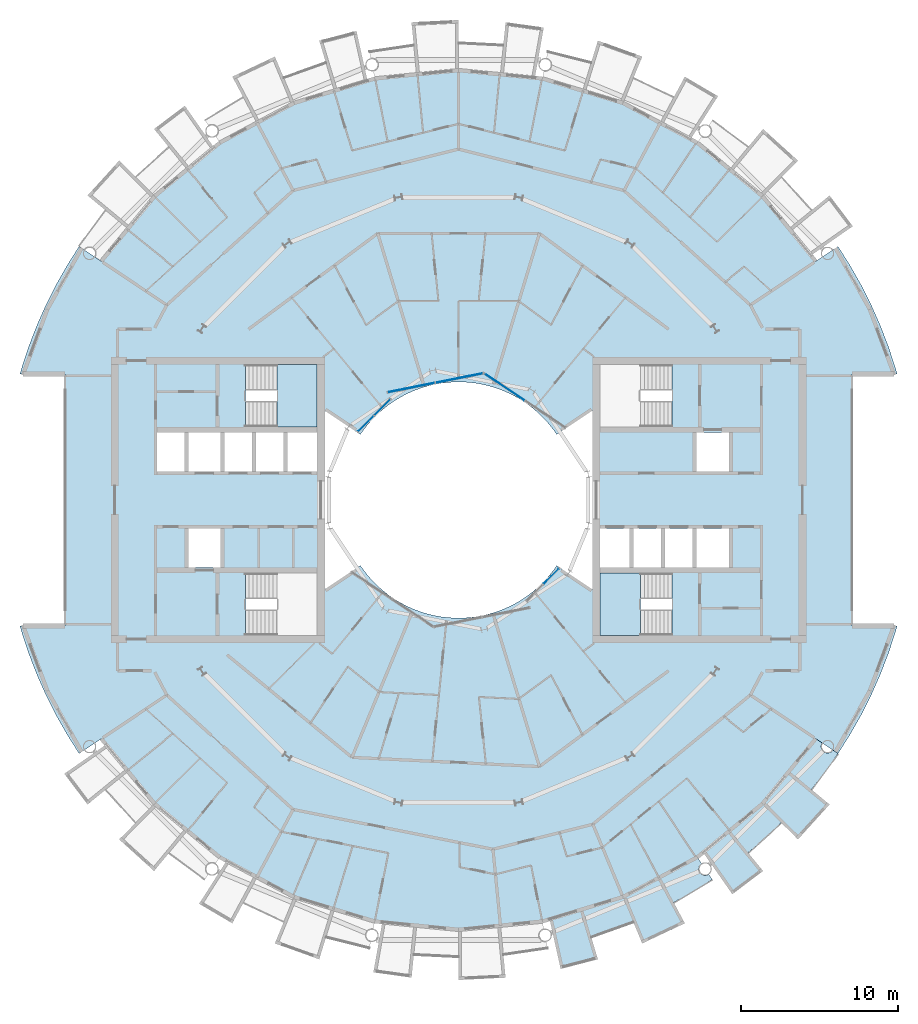
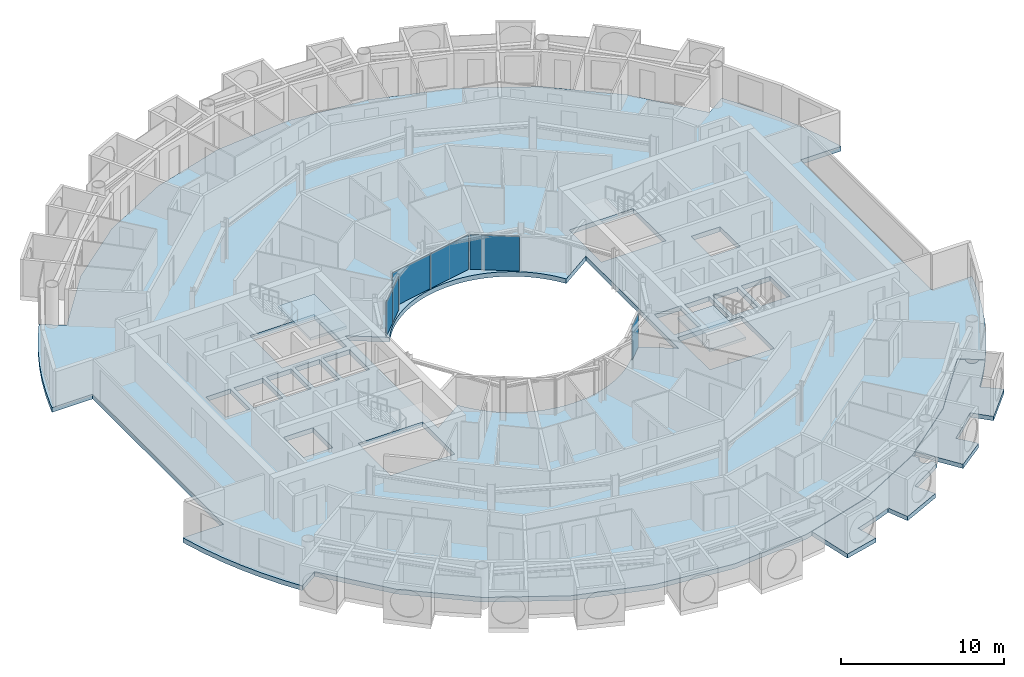
# One storey, part 11 of 27: 6 plates, 5 slabs, 6 elements without a shape of their own.
"""IFC4 building model written with IfcOpenShell, lengths in metres."""

from ifc_helpers import new_model, si_unit, direction, frame, origin, origin_2d, place, context, subcontext, project, spatial, polyline, rectangle, outline, extrude, material, layer, layer_set, type_object, element, aggregate, save


model = new_model("IFC4")

# Units and contexts
model_context = context("Model", 3, precision=1e-05, world=origin(), true_north=direction((0.0, 1.0)))
body_context = subcontext(model_context, "Body", "Model", "MODEL_VIEW")
ifc_project = project(units=[si_unit("LENGTHUNIT", "METRE"), si_unit("AREAUNIT", "SQUARE_METRE"), si_unit("VOLUMEUNIT", "CUBIC_METRE"), si_unit("PLANEANGLEUNIT", "RADIAN"), si_unit("MASSUNIT", "GRAM", prefix="KILO")], contexts=[model_context])

# Site, building, storey
site_placement = place(None, origin())
site = spatial("IfcSite", under=ifc_project, at=site_placement, CompositionType="ELEMENT")
building_placement = place(site_placement, origin())
building = spatial("IfcBuilding", under=site, at=building_placement, Name="Maasbend Ring Residences", CompositionType="ELEMENT")
storey_placement = place(building_placement, frame((0.0, 0.0, 151.300048828125)))
storey = spatial("IfcBuildingStorey", under=building, at=storey_placement, Name="L43", CompositionType="ELEMENT", Elevation=151.300048828125)

# Stair, slab
ifc_material_1 = material(Name="Concrete C40/50", Category="concrete")
stair_type = type_object("IfcStairType", Name="CORE STAIR 18 RISERS", PredefinedType="HALF_TURN_STAIR", material=ifc_material_1)
stair_1_placement = place(storey_placement, origin())
stair_1 = element("IfcStair", 1, at=stair_1_placement, inside=storey, type_object=stair_type, Name="L43 Exit stair ST-E2", PredefinedType="HALF_TURN_STAIR")
ifc_material_2 = material(Name="Concrete C40/50", Category="concrete")
ifc_layer_1 = layer(ifc_material_2, 0.199951171875)
ifc_layer_set_1 = layer_set([ifc_layer_1], Name="Concrete C40/50")
slab_type_1 = type_object("IfcSlabType", Name="CORE STAIR LANDING 200", PredefinedType="LANDING", material=ifc_layer_set_1)
slab_1_placement = place(storey_placement, frame((0.0, 0.0, 1.324951171875)))
slab_1 = element("IfcSlab", 2, at=slab_1_placement, type_object=slab_type_1, Name="ST-E2 landing 1", PredefinedType="LANDING", context=body_context, shape_type="SweptSolid", body=[
    extrude(outline(polyline([(11.550048828125, -4.64990234375), (9.0, -4.64990234375), (9.0, -8.60009765625), (11.550048828125, -8.60009765625), (11.550048828125, -4.64990234375)])), origin(), (0.0, 0.0, 1.0), 0.199951171875),
])
aggregate(stair_1, [slab_1])

stair_2_placement = place(storey_placement, origin())
stair_2 = element("IfcStair", 3, at=stair_2_placement, inside=storey, type_object=stair_type, Name="L43 Exit stair ST-W2", PredefinedType="HALF_TURN_STAIR")
slab_2_placement = place(storey_placement, frame((0.0, 0.0, 1.324951171875)))
slab_2 = element("IfcSlab", 4, at=slab_2_placement, type_object=slab_type_1, Name="ST-W2 landing 1", PredefinedType="LANDING", context=body_context, shape_type="SweptSolid", body=[
    extrude(outline(polyline([(-11.550048828125, 4.64990234375), (-9.0, 4.64990234375), (-9.0, 8.60009765625), (-11.550048828125, 8.60009765625), (-11.550048828125, 4.64990234375)])), origin(), (0.0, 0.0, 1.0), 0.199951171875),
])
aggregate(stair_2, [slab_2])

# Curtain wall, plate
ifc_material_3 = material(Name="Aluminium and clear glass", Category="aluminium")
ifc_layer_2 = layer(ifc_material_3, 0.179931640625)
ifc_layer_set_2 = layer_set([ifc_layer_2], Name="CW-W")
curtain_wall_type = type_object("IfcCurtainWallType", Name="CW-W", PredefinedType="NOTDEFINED", material=ifc_layer_set_2)
curtain_wall_1_placement = place(storey_placement, origin())
curtain_wall_1 = element("IfcCurtainWall", 5, at=curtain_wall_1_placement, inside=storey, type_object=curtain_wall_type, Name="Well curtain wall N1", PredefinedType="NOTDEFINED")
ifc_material_4 = material(Name="Glass clear laminated", Category="glass")
ifc_layer_3 = layer(ifc_material_4, 0.031982421875)
ifc_layer_set_3 = layer_set([ifc_layer_3], Name="CWP-W")
plate_type = type_object("IfcPlateType", Name="CWP-W", PredefinedType="CURTAIN_PANEL", material=ifc_layer_set_3)
plate_1_placement = place(storey_placement, frame((2.922119140625, 7.17578125, 0.0), z_axis=(0.0, 0.0, 1.0), x_axis=(-0.831469612303, 0.55557023302, 0.0)))
plate_1 = element("IfcPlate", 6, at=plate_1_placement, type_object=plate_type, Name="Glass panel well face", PredefinedType="CURTAIN_PANEL", context=body_context, shape_type="SweptSolid", body=[
    extrude(rectangle(XDim=3.053955078125, YDim=0.031982421875, at=origin_2d()), origin(), (0.0, 0.0, 1.0), 2.580078125),
])
aggregate(curtain_wall_1, [plate_1])

# Curtain wall, plates
curtain_wall_2_placement = place(storey_placement, origin())
curtain_wall_2 = element("IfcCurtainWall", 7, at=curtain_wall_2_placement, inside=storey, type_object=curtain_wall_type, Name="Well curtain wall N2", PredefinedType="NOTDEFINED")
plate_2_placement = place(storey_placement, frame((0.04638671875, 7.747802734375, 0.0), z_axis=(0.0, 0.0, 1.0), x_axis=(-0.980785280403, -0.195090322016, 0.0)))
plate_2 = element("IfcPlate", 8, at=plate_2_placement, type_object=plate_type, Name="Glass panel well face", PredefinedType="CURTAIN_PANEL", context=body_context, shape_type="SweptSolid", body=[
    extrude(rectangle(XDim=3.053955078125, YDim=0.031982421875, at=origin_2d()), origin(), (0.0, 0.0, 1.0), 2.580078125),
])
plate_3_placement = place(storey_placement, frame((-3.0078125, 7.140380859375, 0.0), z_axis=(0.0, 0.0, 1.0), x_axis=(-0.980785280403, -0.195090322016, 0.0)))
plate_3 = element("IfcPlate", 9, at=plate_3_placement, type_object=plate_type, Name="Glass panel well face", PredefinedType="CURTAIN_PANEL", context=body_context, shape_type="SweptSolid", body=[
    extrude(rectangle(XDim=3.053955078125, YDim=0.031982421875, at=origin_2d()), origin(), (0.0, 0.0, 1.0), 2.580078125),
])
aggregate(curtain_wall_2, [plate_2, plate_3])

curtain_wall_3_placement = place(storey_placement, origin())
curtain_wall_3 = element("IfcCurtainWall", 10, at=curtain_wall_3_placement, inside=storey, type_object=curtain_wall_type, Name="Well curtain wall N3", PredefinedType="NOTDEFINED")
plate_4_placement = place(storey_placement, frame((-4.84375, 5.89013671875, 0.0), z_axis=(0.0, 0.0, 1.0), x_axis=(-0.707106781187, -0.707106781187, 0.0)))
plate_4 = element("IfcPlate", 11, at=plate_4_placement, type_object=plate_type, Name="Glass panel well face", PredefinedType="CURTAIN_PANEL", context=body_context, shape_type="SweptSolid", body=[
    extrude(rectangle(XDim=1.419677734375, YDim=0.031982421875, at=origin_2d()), origin(), (0.0, 0.0, 1.0), 2.580078125),
])
plate_5_placement = place(storey_placement, frame((-5.89013671875, 4.84375, 0.0), z_axis=(0.0, 0.0, 1.0), x_axis=(-0.707106781187, -0.707106781187, 0.0)))
plate_5 = element("IfcPlate", 12, at=plate_5_placement, type_object=plate_type, Name="Glass panel well face", PredefinedType="CURTAIN_PANEL", context=body_context, shape_type="SweptSolid", body=[
    extrude(rectangle(XDim=1.419677734375, YDim=0.031982421875, at=origin_2d()), origin(), (0.0, 0.0, 1.0), 2.580078125),
])
aggregate(curtain_wall_3, [plate_4, plate_5])

# Curtain wall, plate
curtain_wall_4_placement = place(storey_placement, origin())
curtain_wall_4 = element("IfcCurtainWall", 13, at=curtain_wall_4_placement, inside=storey, type_object=curtain_wall_type, Name="Well curtain wall S3", PredefinedType="NOTDEFINED")
plate_6_placement = place(storey_placement, frame((5.89013671875, -4.84375, 0.0), z_axis=(0.0, 0.0, 1.0), x_axis=(0.707106781187, 0.707106781187, 0.0)))
plate_6 = element("IfcPlate", 14, at=plate_6_placement, type_object=plate_type, Name="Glass panel well face", PredefinedType="CURTAIN_PANEL", context=body_context, shape_type="SweptSolid", body=[
    extrude(rectangle(XDim=1.419677734375, YDim=0.031982421875, at=origin_2d()), origin(), (0.0, 0.0, 1.0), 2.580078125),
])
aggregate(curtain_wall_4, [plate_6])

# Slabs
ifc_material_5 = material(Name="Concrete C40/50", Category="concrete")
ifc_layer_4 = layer(ifc_material_5, 0.35009765625)
ifc_layer_set_4 = layer_set([ifc_layer_4], Name="Concrete C40/50")
slab_type_2 = type_object("IfcSlabType", Name="Post-tensioned flat plate 350", PredefinedType="FLOOR", material=ifc_layer_set_4)
slab_3_placement = place(storey_placement, frame((0.0, 0.0, -0.35009765625)))
element("IfcSlab", 15, at=slab_3_placement, inside=storey, type_object=slab_type_2, Name="Floor slab L43", PredefinedType="FLOOR", context=body_context, shape_type="SweptSolid", body=[
    extrude(outline(polyline([(24.8740234375, -14.908935546875), (25.57568359375, -13.67041015625), (26.2158203125, -12.399169921875), (26.79248046875, -11.097900390625), (27.3046875, -9.769775390625), (27.751220703125, -8.418212890625), (27.866943359375, -8.0), (25.0, -8.0), (25.0, 8.0), (27.866943359375, 8.0), (27.751220703125, 8.418212890625), (27.3046875, 9.769775390625), (26.79248046875, 11.097900390625), (26.2158203125, 12.399169921875), (25.57568359375, 13.67041015625), (24.8740234375, 14.908935546875), (24.112548828125, 16.111572265625), (22.69921875, 15.1669921875), (19.303955078125, 19.303955078125), (15.1669921875, 22.69921875), (10.447265625, 25.221923828125), (5.325927734375, 26.775390625), (0.0, 27.300048828125), (-5.325927734375, 26.775390625), (-10.447265625, 25.221923828125), (-15.1669921875, 22.69921875), (-19.303955078125, 19.303955078125), (-22.69921875, 15.1669921875), (-24.112548828125, 16.111572265625), (-24.8740234375, 14.908935546875), (-25.57568359375, 13.67041015625), (-26.2158203125, 12.399169921875), (-26.79248046875, 11.097900390625), (-27.3046875, 9.769775390625), (-27.751220703125, 8.418212890625), (-27.866943359375, 8.0), (-25.0, 8.0), (-25.0, -8.0), (-27.866943359375, -8.0), (-27.751220703125, -8.418212890625), (-27.3046875, -9.769775390625), (-26.79248046875, -11.097900390625), (-26.2158203125, -12.399169921875), (-25.57568359375, -13.67041015625), (-24.8740234375, -14.908935546875), (-24.112548828125, -16.111572265625), (-22.69921875, -15.1669921875), (-19.303955078125, -19.303955078125), (-15.1669921875, -22.69921875), (-10.447265625, -25.221923828125), (-5.325927734375, -26.775390625), (0.0, -27.300048828125), (5.325927734375, -26.775390625), (10.447265625, -25.221923828125), (15.1669921875, -22.69921875), (19.303955078125, -19.303955078125), (22.69921875, -15.1669921875), (24.112548828125, -16.111572265625), (24.8740234375, -14.908935546875)]), holes=[polyline([(15.125, 1.824951171875), (15.125, 4.27490234375), (17.175048828125, 4.27490234375), (17.175048828125, 1.824951171875), (15.125, 1.824951171875)]), polyline([(15.125, -4.27490234375), (15.125, -1.824951171875), (17.175048828125, -1.824951171875), (17.175048828125, -4.27490234375), (15.125, -4.27490234375)]), polyline([(13.125, -4.27490234375), (13.125, -1.824951171875), (14.875, -1.824951171875), (14.875, -4.27490234375), (13.125, -4.27490234375)]), polyline([(13.550048828125, 8.60009765625), (13.550048828125, 4.64990234375), (9.0, 4.64990234375), (9.0, 8.60009765625), (13.550048828125, 8.60009765625)]), polyline([(13.550048828125, -4.64990234375), (13.550048828125, -8.60009765625), (9.0, -8.60009765625), (9.0, -4.64990234375), (13.550048828125, -4.64990234375)]), polyline([(11.125, -4.27490234375), (11.125, -1.824951171875), (12.875, -1.824951171875), (12.875, -4.27490234375), (11.125, -4.27490234375)]), polyline([(9.0, -4.27490234375), (9.0, -1.824951171875), (10.875, -1.824951171875), (10.875, -4.27490234375), (9.0, -4.27490234375)]), polyline([(6.024169921875, 4.4677734375), (6.236083984375, 4.166748046875), (8.5, 5.679443359375), (8.5, -5.679443359375), (6.236083984375, -4.166748046875), (6.024169921875, -4.4677734375), (5.797607421875, -4.7578125), (5.55712890625, -5.03662109375), (5.30322265625, -5.30322265625), (5.03662109375, -5.55712890625), (4.7578125, -5.797607421875), (4.4677734375, -6.024169921875), (4.166748046875, -6.236083984375), (3.855712890625, -6.43310546875), (3.535400390625, -6.614501953125), (3.206787109375, -6.77978515625), (2.8701171875, -6.92919921875), (2.526611328125, -7.0615234375), (2.177001953125, -7.177001953125), (1.822509765625, -7.275146484375), (1.463134765625, -7.35595703125), (1.1005859375, -7.418701171875), (0.735107421875, -7.4638671875), (0.367919921875, -7.490966796875), (0.0, -7.5), (-0.367919921875, -7.490966796875), (-0.735107421875, -7.4638671875), (-1.1005859375, -7.418701171875), (-1.463134765625, -7.35595703125), (-1.822509765625, -7.275146484375), (-2.177001953125, -7.177001953125), (-2.526611328125, -7.0615234375), (-2.8701171875, -6.92919921875), (-3.206787109375, -6.77978515625), (-3.535400390625, -6.614501953125), (-3.855712890625, -6.43310546875), (-4.166748046875, -6.236083984375), (-4.4677734375, -6.024169921875), (-4.7578125, -5.797607421875), (-5.03662109375, -5.55712890625), (-5.30322265625, -5.30322265625), (-5.55712890625, -5.03662109375), (-5.797607421875, -4.7578125), (-6.024169921875, -4.4677734375), (-6.236083984375, -4.166748046875), (-8.5, -5.679443359375), (-8.5, 5.679443359375), (-6.236083984375, 4.166748046875), (-6.024169921875, 4.4677734375), (-5.797607421875, 4.7578125), (-5.55712890625, 5.03662109375), (-5.30322265625, 5.30322265625), (-5.03662109375, 5.55712890625), (-4.7578125, 5.797607421875), (-4.4677734375, 6.024169921875), (-4.166748046875, 6.236083984375), (-3.855712890625, 6.43310546875), (-3.535400390625, 6.614501953125), (-3.206787109375, 6.77978515625), (-2.8701171875, 6.92919921875), (-2.526611328125, 7.0615234375), (-2.177001953125, 7.177001953125), (-1.822509765625, 7.275146484375), (-1.463134765625, 7.35595703125), (-1.1005859375, 7.418701171875), (-0.735107421875, 7.4638671875), (-0.367919921875, 7.490966796875), (0.0, 7.5), (0.367919921875, 7.490966796875), (0.735107421875, 7.4638671875), (1.1005859375, 7.418701171875), (1.463134765625, 7.35595703125), (1.822509765625, 7.275146484375), (2.177001953125, 7.177001953125), (2.526611328125, 7.0615234375), (2.8701171875, 6.92919921875), (3.206787109375, 6.77978515625), (3.535400390625, 6.614501953125), (3.855712890625, 6.43310546875), (4.166748046875, 6.236083984375), (4.4677734375, 6.024169921875), (4.7578125, 5.797607421875), (5.03662109375, 5.55712890625), (5.30322265625, 5.30322265625), (5.55712890625, 5.03662109375), (5.797607421875, 4.7578125), (6.024169921875, 4.4677734375)]), polyline([(-13.550048828125, 4.64990234375), (-13.550048828125, 8.60009765625), (-9.0, 8.60009765625), (-9.0, 4.64990234375), (-13.550048828125, 4.64990234375)]), polyline([(-9.0, -8.60009765625), (-13.550048828125, -8.60009765625), (-13.550048828125, -4.64990234375), (-9.0, -4.64990234375), (-9.0, -8.60009765625)]), polyline([(-9.0, 4.27490234375), (-9.0, 1.824951171875), (-10.875, 1.824951171875), (-10.875, 4.27490234375), (-9.0, 4.27490234375)]), polyline([(-11.125, 4.27490234375), (-11.125, 1.824951171875), (-12.875, 1.824951171875), (-12.875, 4.27490234375), (-11.125, 4.27490234375)]), polyline([(-13.125, 4.27490234375), (-13.125, 1.824951171875), (-14.875, 1.824951171875), (-14.875, 4.27490234375), (-13.125, 4.27490234375)]), polyline([(-15.125, 4.27490234375), (-15.125, 1.824951171875), (-17.175048828125, 1.824951171875), (-17.175048828125, 4.27490234375), (-15.125, 4.27490234375)]), polyline([(-15.125, -1.824951171875), (-15.125, -4.27490234375), (-17.175048828125, -4.27490234375), (-17.175048828125, -1.824951171875), (-15.125, -1.824951171875)]), polyline([(-17.425048828125, 4.27490234375), (-17.425048828125, 1.824951171875), (-19.14990234375, 1.824951171875), (-19.14990234375, 4.27490234375), (-17.425048828125, 4.27490234375)])]), origin(), (0.0, 0.0, 1.0), 0.35009765625),
])
ifc_material_6 = material(Name="Concrete C40/50", Category="concrete")
ifc_layer_5 = layer(ifc_material_6, 0.199951171875)
ifc_layer_set_5 = layer_set([ifc_layer_5], Name="Concrete C40/50")
slab_type_3 = type_object("IfcSlabType", Name="SL-LOGGIA", PredefinedType="FLOOR", material=ifc_layer_set_5)
slab_4_placement = place(storey_placement, frame((0.0, 0.0, -0.35009765625)))
element("IfcSlab", 16, at=slab_4_placement, inside=storey, type_object=slab_type_3, Name="Loggia floor 1", PredefinedType="FLOOR", context=body_context, shape_type="SweptSolid", body=[
    extrude(outline(polyline([(10.447021484375, -25.221923828125), (12.806884765625, -23.9609375), (15.1669921875, -22.698974609375), (15.1669921875, -22.698974609375), (15.1669921875, -22.698974609375), (15.44091796875, -23.10888671875), (15.43310546875, -23.114990234375), (15.425048828125, -23.12109375), (15.4169921875, -23.126953125), (15.408935546875, -23.133056640625), (15.402099609375, -23.139892578125), (15.39404296875, -23.14599609375), (15.386962890625, -23.153076171875), (15.3798828125, -23.159912109375), (15.373046875, -23.1669921875), (15.365966796875, -23.174072265625), (15.35888671875, -23.181884765625), (15.35302734375, -23.18994140625), (15.346923828125, -23.197021484375), (15.341064453125, -23.205078125), (15.3349609375, -23.212890625), (15.3291015625, -23.221923828125), (15.323974609375, -23.22998046875), (15.318115234375, -23.238037109375), (15.31298828125, -23.2470703125), (15.30908203125, -23.256103515625), (15.303955078125, -23.264892578125), (15.300048828125, -23.27392578125), (15.294921875, -23.282958984375), (15.2919921875, -23.2919921875), (15.2880859375, -23.301025390625), (15.283935546875, -23.31005859375), (15.281005859375, -23.320068359375), (15.278076171875, -23.3291015625), (15.27490234375, -23.339111328125), (15.27294921875, -23.34912109375), (15.27001953125, -23.35791015625), (15.26806640625, -23.367919921875), (15.26708984375, -23.3779296875), (15.264892578125, -23.387939453125), (15.263916015625, -23.39794921875), (15.262939453125, -23.407958984375), (15.261962890625, -23.4169921875), (15.260986328125, -23.427001953125), (15.260986328125, -23.43701171875), (15.260986328125, -23.447021484375), (15.260986328125, -23.45703125), (15.260986328125, -23.467041015625), (15.261962890625, -23.47705078125), (15.262939453125, -23.487060546875), (15.263916015625, -23.4970703125), (15.264892578125, -23.507080078125), (15.26708984375, -23.51708984375), (15.26806640625, -23.527099609375), (15.27001953125, -23.535888671875), (15.27294921875, -23.5458984375), (15.27490234375, -23.555908203125), (15.278076171875, -23.56494140625), (15.281005859375, -23.574951171875), (15.283935546875, -23.583984375), (15.2880859375, -23.593994140625), (15.2919921875, -23.60302734375), (15.294921875, -23.612060546875), (15.300048828125, -23.62109375), (15.303955078125, -23.6298828125), (15.30908203125, -23.638916015625), (15.31298828125, -23.64794921875), (15.318115234375, -23.656005859375), (15.323974609375, -23.6650390625), (15.3291015625, -23.673095703125), (15.3349609375, -23.680908203125), (15.341064453125, -23.68994140625), (15.346923828125, -23.697021484375), (15.35302734375, -23.705078125), (15.35888671875, -23.712890625), (15.365966796875, -23.719970703125), (15.373046875, -23.72802734375), (15.3798828125, -23.735107421875), (15.386962890625, -23.741943359375), (15.39404296875, -23.7490234375), (15.402099609375, -23.7548828125), (15.408935546875, -23.761962890625), (15.4169921875, -23.76806640625), (15.425048828125, -23.77392578125), (15.43310546875, -23.780029296875), (15.44091796875, -23.784912109375), (15.449951171875, -23.791015625), (15.4580078125, -23.7958984375), (15.467041015625, -23.801025390625), (15.47509765625, -23.805908203125), (15.48388671875, -23.81005859375), (15.492919921875, -23.81494140625), (15.501953125, -23.819091796875), (15.511962890625, -23.822998046875), (15.52099609375, -23.826904296875), (15.530029296875, -23.830078125), (15.5400390625, -23.8330078125), (15.549072265625, -23.8359375), (15.55908203125, -23.839111328125), (15.568115234375, -23.842041015625), (15.577880859375, -23.843994140625), (15.587890625, -23.845947265625), (15.597900390625, -23.847900390625), (15.60693359375, -23.85009765625), (15.616943359375, -23.85107421875), (15.626953125, -23.85205078125), (15.636962890625, -23.85302734375), (15.64697265625, -23.85302734375), (15.656982421875, -23.85400390625), (15.6669921875, -23.85400390625), (15.677001953125, -23.85400390625), (15.68701171875, -23.85302734375), (15.697021484375, -23.85302734375), (15.70703125, -23.85205078125), (15.717041015625, -23.85107421875), (15.72705078125, -23.85009765625), (15.737060546875, -23.847900390625), (15.74609375, -23.845947265625), (15.756103515625, -23.843994140625), (15.76611328125, -23.842041015625), (15.77587890625, -23.839111328125), (15.784912109375, -23.8359375), (15.794921875, -23.8330078125), (15.803955078125, -23.830078125), (15.81298828125, -23.826904296875), (15.822998046875, -23.822998046875), (15.83203125, -23.819091796875), (15.841064453125, -23.81494140625), (15.85009765625, -23.81005859375), (15.85888671875, -23.805908203125), (15.866943359375, -23.801025390625), (15.8759765625, -23.7958984375), (15.885009765625, -23.791015625), (15.89306640625, -23.784912109375), (16.112060546875, -24.113037109375), (16.112060546875, -24.113037109375), (16.112060546875, -24.113037109375), (15.31396484375, -24.626953125), (15.31396484375, -24.626953125), (14.5, -25.114990234375), (14.5, -25.114990234375), (13.6708984375, -25.574951171875), (13.6708984375, -25.575927734375), (13.6708984375, -25.575927734375), (13.6708984375, -25.575927734375), (13.6708984375, -25.575927734375), (13.6708984375, -25.575927734375), (13.6708984375, -25.575927734375), (13.6708984375, -25.575927734375), (13.6708984375, -25.575927734375), (13.6708984375, -25.575927734375), (13.6708984375, -25.575927734375), (13.6708984375, -25.575927734375), (13.6708984375, -25.575927734375), (13.6708984375, -25.575927734375), (13.6708984375, -25.575927734375), (13.6708984375, -25.575927734375), (13.6708984375, -25.575927734375), (14.3779296875, -26.89892578125), (14.3779296875, -26.89892578125), (14.3779296875, -26.89892578125), (11.672119140625, -28.177978515625), (11.672119140625, -28.177978515625), (11.672119140625, -28.177978515625), (11.097900390625, -26.79296875), (11.097900390625, -26.79296875), (11.097900390625, -26.79296875), (11.097900390625, -26.79296875), (11.097900390625, -26.79296875), (11.097900390625, -26.79296875), (11.097900390625, -26.79296875), (11.097900390625, -26.79296875), (11.097900390625, -26.79296875), (11.097900390625, -26.79296875), (11.097900390625, -26.79296875), (11.097900390625, -26.79296875), (11.097900390625, -26.79296875), (11.097900390625, -26.79296875), (11.096923828125, -26.79296875), (11.096923828125, -26.79296875), (11.096923828125, -26.79296875), (10.215087890625, -27.14111328125), (10.215087890625, -27.14111328125), (9.322021484375, -27.4609375), (9.322021484375, -27.4609375), (8.4189453125, -27.7509765625), (8.4189453125, -27.7509765625), (8.4189453125, -27.7509765625), (8.4189453125, -27.7509765625), (8.4189453125, -27.7509765625), (8.4189453125, -27.7509765625), (8.41796875, -27.7509765625), (8.41796875, -27.7509765625), (8.41796875, -27.7509765625), (8.41796875, -27.7509765625), (8.41796875, -27.7509765625), (8.41796875, -27.751953125), (8.41796875, -27.751953125), (8.41796875, -27.751953125), (8.41796875, -27.751953125), (8.41796875, -27.751953125), (8.41796875, -27.751953125), (8.85400390625, -29.18701171875), (8.85400390625, -29.18701171875), (8.85400390625, -29.18701171875), (6.487060546875, -29.802001953125), (6.487060546875, -29.802001953125), (6.487060546875, -29.802001953125), (5.797119140625, -26.633056640625), (5.797119140625, -26.633056640625), (5.797119140625, -26.633056640625), (7.886962890625, -25.9990234375), (10.447021484375, -25.221923828125), (10.447021484375, -25.221923828125), (10.447021484375, -25.221923828125)])), origin(), (0.0, 0.0, 1.0), 0.320068359375),
])
slab_5_placement = place(storey_placement, frame((0.0, 0.0, -0.35009765625)))
element("IfcSlab", 17, at=slab_5_placement, inside=storey, type_object=slab_type_3, Name="Loggia floor 4", PredefinedType="FLOOR", context=body_context, shape_type="SweptSolid", body=[
    extrude(outline(polyline([(19.303955078125, -19.303955078125), (21.001953125, -17.236083984375), (22.698974609375, -15.1669921875), (22.698974609375, -15.1669921875), (22.698974609375, -15.1669921875), (23.10888671875, -15.44091796875), (23.10888671875, -15.44091796875), (23.10400390625, -15.449951171875), (23.09912109375, -15.4580078125), (23.093994140625, -15.467041015625), (23.089111328125, -15.47509765625), (23.083984375, -15.48388671875), (23.080078125, -15.492919921875), (23.075927734375, -15.501953125), (23.072021484375, -15.511962890625), (23.068115234375, -15.52099609375), (23.06494140625, -15.530029296875), (23.06103515625, -15.5400390625), (23.05810546875, -15.549072265625), (23.055908203125, -15.55908203125), (23.052978515625, -15.568115234375), (23.051025390625, -15.577880859375), (23.049072265625, -15.587890625), (23.047119140625, -15.597900390625), (23.044921875, -15.60693359375), (23.0439453125, -15.616943359375), (23.04296875, -15.626953125), (23.0419921875, -15.636962890625), (23.041015625, -15.64697265625), (23.041015625, -15.656982421875), (23.041015625, -15.6669921875), (23.041015625, -15.677001953125), (23.041015625, -15.68701171875), (23.0419921875, -15.697021484375), (23.04296875, -15.70703125), (23.0439453125, -15.717041015625), (23.044921875, -15.72705078125), (23.047119140625, -15.737060546875), (23.049072265625, -15.74609375), (23.051025390625, -15.756103515625), (23.052978515625, -15.76611328125), (23.055908203125, -15.77587890625), (23.05810546875, -15.784912109375), (23.06103515625, -15.794921875), (23.06494140625, -15.803955078125), (23.068115234375, -15.81298828125), (23.072021484375, -15.822998046875), (23.075927734375, -15.83203125), (23.080078125, -15.841064453125), (23.083984375, -15.85009765625), (23.089111328125, -15.85888671875), (23.093994140625, -15.866943359375), (23.09912109375, -15.8759765625), (23.10400390625, -15.885009765625), (23.10888671875, -15.89306640625), (23.114990234375, -15.90087890625), (23.12109375, -15.908935546875), (23.126953125, -15.9169921875), (23.133056640625, -15.925048828125), (23.139892578125, -15.93310546875), (23.14599609375, -15.93994140625), (23.153076171875, -15.947021484375), (23.159912109375, -15.955078125), (23.1669921875, -15.9619140625), (23.174072265625, -15.968017578125), (23.181884765625, -15.97509765625), (23.18994140625, -15.98095703125), (23.197021484375, -15.988037109375), (23.205078125, -15.993896484375), (23.212890625, -15.9990234375), (23.221923828125, -16.0048828125), (23.22998046875, -16.010986328125), (23.238037109375, -16.01611328125), (23.2470703125, -16.02099609375), (23.256103515625, -16.02587890625), (23.264892578125, -16.030029296875), (23.27392578125, -16.034912109375), (23.282958984375, -16.0390625), (23.2919921875, -16.04296875), (23.301025390625, -16.0458984375), (23.31005859375, -16.050048828125), (23.320068359375, -16.052978515625), (23.3291015625, -16.055908203125), (23.339111328125, -16.05908203125), (23.34912109375, -16.06103515625), (23.35791015625, -16.06396484375), (23.367919921875, -16.06591796875), (23.3779296875, -16.068115234375), (23.387939453125, -16.069091796875), (23.39794921875, -16.071044921875), (23.407958984375, -16.072021484375), (23.4169921875, -16.072021484375), (23.427001953125, -16.072998046875), (23.43701171875, -16.072998046875), (23.447021484375, -16.073974609375), (23.45703125, -16.072998046875), (23.467041015625, -16.072998046875), (23.47705078125, -16.072021484375), (23.487060546875, -16.072021484375), (23.4970703125, -16.071044921875), (23.507080078125, -16.069091796875), (23.51708984375, -16.068115234375), (23.527099609375, -16.06591796875), (23.535888671875, -16.06396484375), (23.5458984375, -16.06103515625), (23.555908203125, -16.05908203125), (23.56494140625, -16.055908203125), (23.574951171875, -16.052978515625), (23.583984375, -16.050048828125), (23.593994140625, -16.0458984375), (23.60302734375, -16.04296875), (23.612060546875, -16.0390625), (23.62109375, -16.034912109375), (23.6298828125, -16.030029296875), (23.638916015625, -16.02587890625), (23.64794921875, -16.02099609375), (23.656005859375, -16.01611328125), (23.6650390625, -16.010986328125), (23.673095703125, -16.0048828125), (23.680908203125, -15.9990234375), (23.68994140625, -15.993896484375), (23.697021484375, -15.988037109375), (23.705078125, -15.98095703125), (23.712890625, -15.97509765625), (23.719970703125, -15.968017578125), (23.72802734375, -15.9619140625), (23.735107421875, -15.955078125), (23.741943359375, -15.947021484375), (23.7490234375, -15.93994140625), (23.7548828125, -15.93310546875), (23.761962890625, -15.925048828125), (23.76806640625, -15.9169921875), (23.77392578125, -15.908935546875), (23.780029296875, -15.90087890625), (23.784912109375, -15.89306640625), (23.784912109375, -15.89306640625), (24.113037109375, -16.112060546875), (24.113037109375, -16.112060546875), (24.113037109375, -16.112060546875), (23.572998046875, -16.89208984375), (23.572998046875, -16.89208984375), (23.007080078125, -17.654052734375), (23.007080078125, -17.654052734375), (22.41796875, -18.39697265625), (22.41796875, -18.39697265625), (22.41796875, -18.39697265625), (22.41796875, -18.39697265625), (22.41796875, -18.39697265625), (22.41796875, -18.39697265625), (22.41796875, -18.39697265625), (22.41796875, -18.39697265625), (22.41796875, -18.39697265625), (22.41796875, -18.39697265625), (22.41796875, -18.39697265625), (22.41796875, -18.39794921875), (22.41796875, -18.39794921875), (22.41796875, -18.39794921875), (22.41796875, -18.39794921875), (22.41796875, -18.39794921875), (22.41796875, -18.39794921875), (23.576904296875, -19.34912109375), (23.576904296875, -19.34912109375), (23.576904296875, -19.34912109375), (21.56689453125, -21.56689453125), (21.56689453125, -21.56689453125), (21.56689453125, -21.56689453125), (20.506103515625, -20.506103515625), (20.506103515625, -20.506103515625), (20.506103515625, -20.506103515625), (20.506103515625, -20.506103515625), (20.506103515625, -20.506103515625), (20.506103515625, -20.506103515625), (20.506103515625, -20.506103515625), (20.506103515625, -20.506103515625), (20.506103515625, -20.506103515625), (20.506103515625, -20.506103515625), (20.506103515625, -20.506103515625), (20.506103515625, -20.506103515625), (20.506103515625, -20.506103515625), (20.506103515625, -20.506103515625), (20.506103515625, -20.506103515625), (20.506103515625, -20.506103515625), (20.506103515625, -20.506103515625), (19.823974609375, -21.166015625), (19.823974609375, -21.166015625), (19.12109375, -21.802978515625), (19.12109375, -21.802978515625), (18.39794921875, -22.4169921875), (18.39794921875, -22.4169921875), (18.39794921875, -22.4169921875), (18.39794921875, -22.4169921875), (18.39794921875, -22.4169921875), (18.39794921875, -22.4169921875), (18.39794921875, -22.4169921875), (18.39794921875, -22.4169921875), (18.39794921875, -22.4169921875), (18.39794921875, -22.4169921875), (18.39794921875, -22.4169921875), (18.39794921875, -22.4169921875), (18.39794921875, -22.41796875), (18.39794921875, -22.41796875), (18.39794921875, -22.41796875), (18.39794921875, -22.41796875), (18.39794921875, -22.41796875), (19.34912109375, -23.576904296875), (19.34912109375, -23.576904296875), (19.34912109375, -23.576904296875), (17.39794921875, -25.051025390625), (17.39794921875, -25.051025390625), (17.39794921875, -25.051025390625), (15.547119140625, -22.386962890625), (15.547119140625, -22.386962890625), (15.547119140625, -22.386962890625), (17.236083984375, -21.001953125), (19.303955078125, -19.303955078125), (19.303955078125, -19.303955078125), (19.303955078125, -19.303955078125)])), origin(), (0.0, 0.0, 1.0), 0.320068359375),
])

save(model, "model.ifc")
